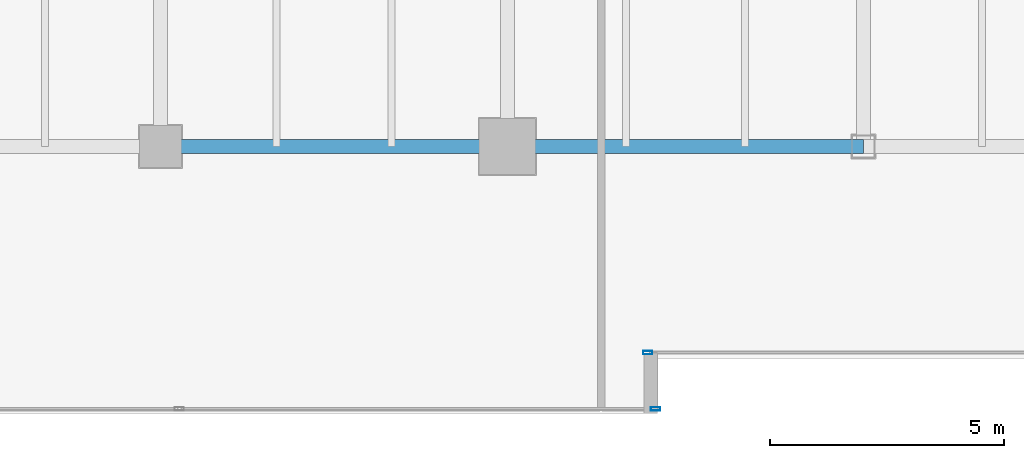
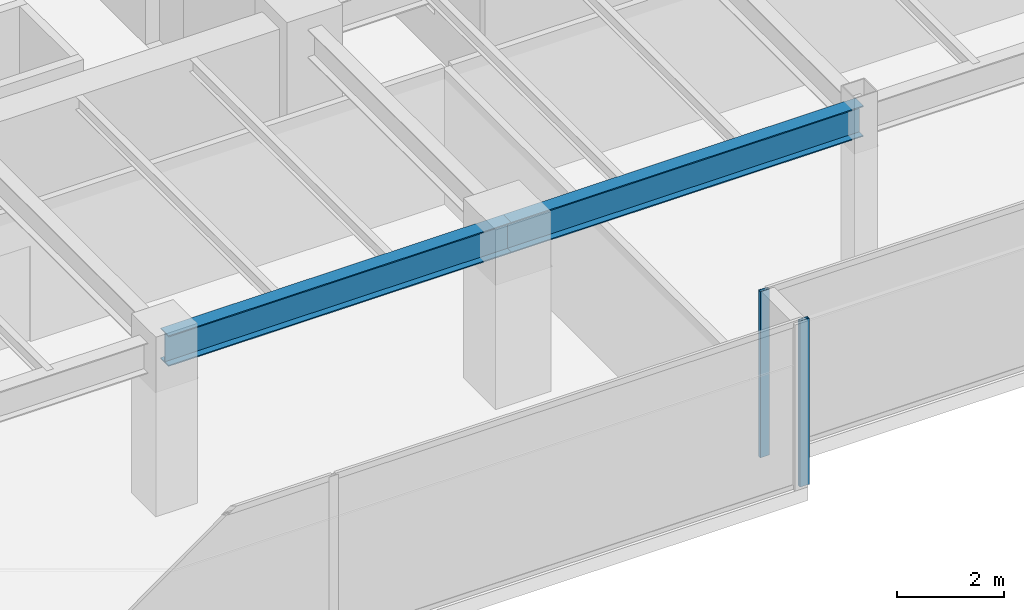
# One storey, part 4 of 33: 2 beams, 2 members, 2 elements without a shape of their own.
"""IFC4 building model written with IfcOpenShell, lengths in metres."""

from ifc_helpers import new_model, si_unit, direction, frame, origin, origin_2d, place, context, subcontext, project, spatial, hollow_rectangle, i_section, extrude, source, transform, mapped, material, layer, layer_set, material_profile, profile_set, type_object, type_shapes, element, aggregate, save


model = new_model("IFC4")

# Units and contexts
model_context = context("Model", 3, precision=1e-05, world=origin(), true_north=direction((0.0, 1.0)))
body_context = subcontext(model_context, "Body", "Model", "MODEL_VIEW")
ifc_project = project(units=[si_unit("LENGTHUNIT", "METRE"), si_unit("AREAUNIT", "SQUARE_METRE"), si_unit("VOLUMEUNIT", "CUBIC_METRE"), si_unit("PLANEANGLEUNIT", "RADIAN"), si_unit("MASSUNIT", "GRAM", prefix="KILO")], contexts=[model_context])

# Site, building, storey
site_placement = place(None, origin())
site = spatial("IfcSite", under=ifc_project, at=site_placement, CompositionType="ELEMENT")
building_placement = place(site_placement, origin())
building = spatial("IfcBuilding", under=site, at=building_placement, Name="Haelvirn Gate Laboratories", CompositionType="ELEMENT")
storey_placement = place(building_placement, frame((0.0, 0.0, 133.800048828125)))
storey = spatial("IfcBuildingStorey", under=building, at=storey_placement, Name="L32", CompositionType="ELEMENT", Elevation=133.800048828125)

# Beams
ifc_material_1 = material(Name="Steel SM355", Category="steel")
ifc_material_profile_1 = material_profile(ifc_material_1, i_section(OverallWidth=0.300048828125, OverallDepth=0.699951171875, WebThickness=0.012939453125, FlangeThickness=0.02392578125, at=origin_2d()), Name="H-700x300x13x24")
ifc_profile_set_1 = profile_set([ifc_material_profile_1], Name="Steel SM355")
beam_type = type_object("IfcBeamType", Name="BM-G-700", PredefinedType="BEAM", material=ifc_profile_set_1)
shared_shape_1 = source(origin(), body_context, "Body", "SweptSolid", [
    extrude(i_section(OverallWidth=0.300048828125, OverallDepth=0.699951171875, WebThickness=0.012939453125, FlangeThickness=0.02392578125, at=origin_2d()), origin(), (0.0, 0.0, 1.0), 7.39990234375),
])
beam_1_placement = place(storey_placement, frame((14.800048828125, 7.0, 3.43994140625), z_axis=(1.0, 0.0, 0.0), x_axis=(0.0, 1.0, 0.0)))
element("IfcBeam", 1, at=beam_1_placement, inside=storey, type_object=beam_type, Name="L32 Primary Girder Y7.0 (14.8-22.2)", PredefinedType="BEAM", context=body_context, shape_type="MappedRepresentation", body=[
    mapped(shared_shape_1, transform((0.0, 0.0, 0.0), scale=1.0)),
])
shared_shape_2 = source(origin(), body_context, "Body", "SweptSolid", [
    extrude(i_section(OverallWidth=0.300048828125, OverallDepth=0.699951171875, WebThickness=0.012939453125, FlangeThickness=0.02392578125, at=origin_2d()), origin(), (0.0, 0.0, 1.0), 7.60009765625),
])
type_shapes(beam_type, [shared_shape_1, shared_shape_2])
beam_2_placement = place(storey_placement, frame((22.199951171875, 7.0, 3.43994140625), z_axis=(1.0, 0.0, 0.0), x_axis=(0.0, 1.0, 0.0)))
element("IfcBeam", 2, at=beam_2_placement, inside=storey, type_object=beam_type, Name="L32 Primary Girder Y7.0 (22.2-29.8)", PredefinedType="BEAM", context=body_context, shape_type="MappedRepresentation", body=[
    mapped(shared_shape_2, transform((0.0, 0.0, 0.0), scale=1.0)),
])

# Curtain wall, member
ifc_material_2 = material(Name="Anodised bronze unitised aluminium & triple low-E glass", Category="aluminium")
ifc_layer = layer(ifc_material_2, 0.179931640625, Name="CW-SYS-3")
ifc_layer_set = layer_set([ifc_layer], Name="Anodised bronze unitised aluminium & triple low-E glass")
curtain_wall_type = type_object("IfcCurtainWallType", Name="CW-SYS-3", PredefinedType="NOTDEFINED", material=ifc_layer_set)
curtain_wall_1_placement = place(storey_placement, origin())
curtain_wall_1 = element("IfcCurtainWall", 3, at=curtain_wall_1_placement, inside=storey, type_object=curtain_wall_type, Name="L32 Unitised Curtain Wall CW-L32-P0-E00-1", PredefinedType="NOTDEFINED")
ifc_material_3 = material(Name="Extruded aluminium 6063-T6 (anodised bronze)", Category="aluminium")
ifc_material_profile_2 = material_profile(ifc_material_3, hollow_rectangle(XDim=0.074951171875, YDim=0.199951171875, WallThickness=0.0048828125, at=origin_2d()), Name="CWM-200x75x5")
ifc_profile_set_2 = profile_set([ifc_material_profile_2], Name="Extruded aluminium 6063-T6 (anodised bronze)")
member_type = type_object("IfcMemberType", Name="CWM-T200", PredefinedType="MULLION", material=ifc_profile_set_2)
shared_shape_3 = source(origin(), body_context, "Body", "SweptSolid", [
    extrude(hollow_rectangle(XDim=0.074951171875, YDim=0.199951171875, WallThickness=0.0048828125, at=origin_2d()), origin(), (0.0, 0.0, 1.0), 3.7900390625),
])
type_shapes(member_type, [shared_shape_3])
member_1_placement = place(storey_placement, frame((25.362548828125, 1.39990234375, 0.0), z_axis=(0.0, 0.0, 1.0), x_axis=(0.0, 1.0, 0.0)))
member_1 = element("IfcMember", 4, at=member_1_placement, type_object=member_type, Name="CW3 mullion 3", PredefinedType="MULLION", context=body_context, shape_type="MappedRepresentation", body=[
    mapped(shared_shape_3, transform((0.0, 0.0, 0.0), scale=1.0)),
])
aggregate(curtain_wall_1, [member_1])

curtain_wall_2_placement = place(storey_placement, origin())
curtain_wall_2 = element("IfcCurtainWall", 5, at=curtain_wall_2_placement, inside=storey, type_object=curtain_wall_type, Name="L32 Unitised Curtain Wall CW-L32-P0-E02-1", PredefinedType="NOTDEFINED")
member_2_placement = place(storey_placement, frame((25.197509765625, 2.60009765625, 0.0), z_axis=(0.0, 0.0, 1.0), x_axis=(0.0, 1.0, 0.0)))
member_2 = element("IfcMember", 6, at=member_2_placement, type_object=member_type, Name="CW3 mullion 1", PredefinedType="MULLION", context=body_context, shape_type="MappedRepresentation", body=[
    mapped(shared_shape_3, transform((0.0, 0.0, 0.0), scale=1.0)),
])
aggregate(curtain_wall_2, [member_2])

save(model, "model.ifc")
